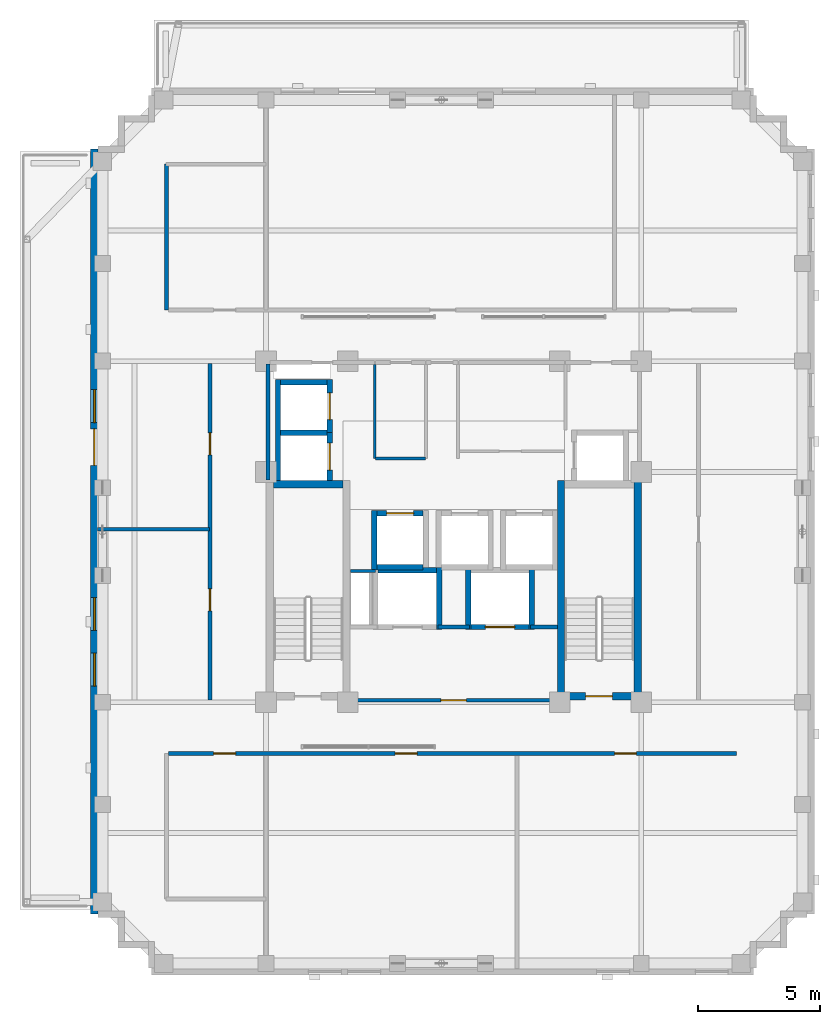
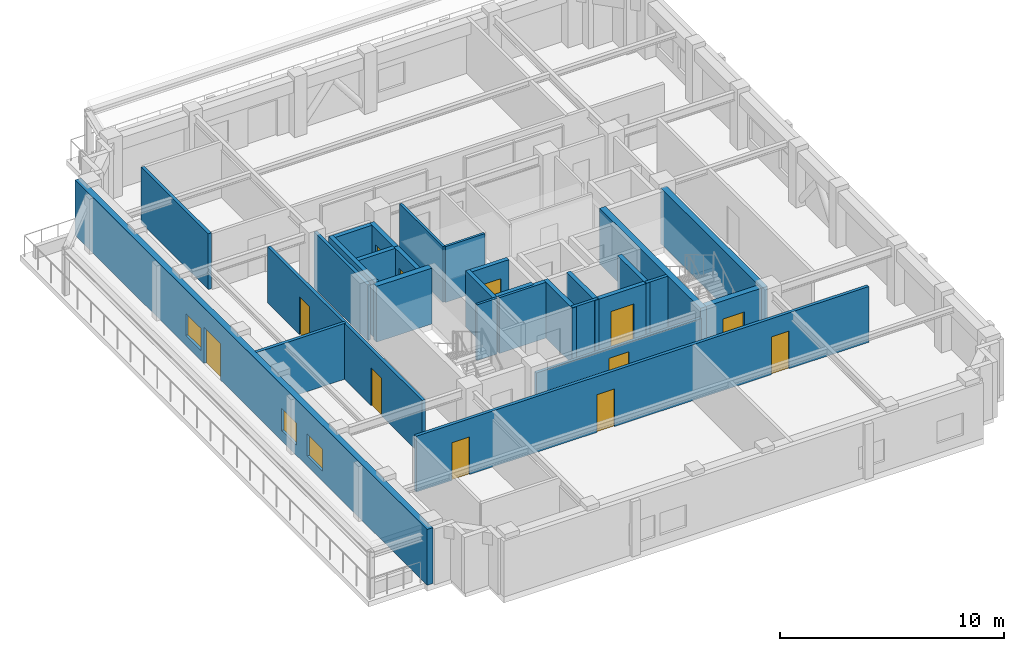
# One storey, part 8 of 14: 29 walls, 12 doors, 3 windows, 15 openings.
"""IFC4 building model written with IfcOpenShell, lengths in metres."""

from ifc_helpers import new_model, si_unit, derived_unit, direction, frame, frame_2d, origin, place, context, subcontext, project, spatial, rectangle, extrude, material, layer, layer_set, type_object, element, fill, save


model = new_model("IFC4")

# Units and contexts
model_context = context("Model", 3, precision=1e-05, world=origin(), true_north=direction((0.0, 1.0)))
body_context = subcontext(model_context, "Body", "Model", "MODEL_VIEW")
ifc_project = project(units=[si_unit("LENGTHUNIT", "METRE"), si_unit("AREAUNIT", "SQUARE_METRE"), si_unit("VOLUMEUNIT", "CUBIC_METRE"), si_unit("PLANEANGLEUNIT", "RADIAN"), si_unit("MASSUNIT", "GRAM", prefix="KILO"), derived_unit("THERMALTRANSMITTANCEUNIT", [(si_unit("MASSUNIT", "GRAM", prefix="KILO"), 1), (si_unit("TIMEUNIT", "SECOND"), -3), (si_unit("THERMODYNAMICTEMPERATUREUNIT", "KELVIN"), -1)])], contexts=[model_context])

# Site, building, storey
site_placement = place(None, origin())
site = spatial("IfcSite", under=ifc_project, at=site_placement, CompositionType="ELEMENT")
building_placement = place(site_placement, origin())
building = spatial("IfcBuilding", under=site, at=building_placement, Name="Korrvale Station Residences", CompositionType="ELEMENT")
storey_placement = place(building_placement, frame((0.0, 0.0, 174.39990234375)))
storey = spatial("IfcBuildingStorey", under=building, at=storey_placement, Name="L50", CompositionType="ELEMENT", Elevation=174.39990234375)

# Walls
ifc_material_1 = material(Name="Concrete C50/60", Category="concrete")
ifc_layer_1 = layer(ifc_material_1, 0.300048828125, Name="Concrete C50/60")
ifc_layer_set_1 = layer_set([ifc_layer_1], Name="Concrete C50/60")
wall_type_1 = type_object("IfcWallType", Name="WAL-CORE-300-C50", PredefinedType="SHEAR", material=ifc_layer_set_1)
wall_1_placement = place(storey_placement, frame((18.10009765625, 23.949951171875, 0.0), z_axis=(0.0, 0.0, 1.0), x_axis=(1.0, 0.0, 0.0)))
element("IfcWall", 1, at=wall_1_placement, inside=storey, type_object=wall_type_1, Name="L50 ST-1 Core Shear Wall North", PredefinedType="SHEAR", context=body_context, shape_type="SweptSolid", body=[
    extrude(rectangle(XDim=2.849853515625, YDim=0.300048828125, at=frame_2d((1.4248046875, 0.0))), origin(), (0.0, 0.0, 1.0), 3.0400390625),
])
for number, where, z_axis, x_axis, name in (
    (2, (29.89990234375, 15.10009765625, 0.0), (0.0, 0.0, 1.0), (0.0, 1.0, 0.0), "L50 ST-2 Core Shear Wall West"),
    (3, (33.050048828125, 15.10009765625, 0.0), (0.0, 0.0, 1.0), (0.0, 1.0, 0.0), "L50 ST-2 Core Shear Wall East"),
):
    element("IfcWall", number, at=place(storey_placement, frame(where, z_axis=z_axis, x_axis=x_axis)), inside=storey, type_object=wall_type_1, Name=name, PredefinedType="SHEAR", context=body_context, shape_type="SweptSolid", body=[
        extrude(rectangle(XDim=9.0, YDim=0.300048828125, at=frame_2d((4.5, 0.0))), origin(), (0.0, 0.0, 1.0), 3.0400390625),
    ])

# Wall, opening, door
wall_2_placement = place(storey_placement, frame((30.050048828125, 15.25, 0.0), z_axis=(0.0, 0.0, 1.0), x_axis=(1.0, 0.0, 0.0)))
wall_2 = element("IfcWall", 4, at=wall_2_placement, inside=storey, type_object=wall_type_1, Name="L50 ST-2 Core Shear Wall South", PredefinedType="SHEAR", context=body_context, shape_type="SweptSolid", body=[
    extrude(rectangle(XDim=2.849853515625, YDim=0.300048828125, at=frame_2d((1.4248046875, 0.0))), origin(), (0.0, 0.0, 1.0), 3.0400390625),
])
opening_1_placement = place(wall_2_placement, frame((0.860107421875, 0.0, 0.0)))
opening_1 = element("IfcOpeningElement", 5, at=opening_1_placement, cuts=wall_2, Name="Opening SD-1100", PredefinedType="OPENING", context=body_context, shape_type="SweptSolid", body=[
    extrude(rectangle(XDim=1.10009765625, YDim=2.050048828125, at=frame_2d((0.550048828125, 1.02490234375))), frame((0.0, 0.16015625, 0.0), z_axis=(0.0, -1.0, 0.0), x_axis=(1.0, 0.0, 0.0)), (0.0, 0.0, 1.0), 0.320068359375),
])
ifc_material_2 = material(Name="Hollow-metal fire-rated stair door with closer", Category="steel")
door_type_1 = type_object("IfcDoorType", Name="DR-STAIR-1100", OperationType="NOTDEFINED", PredefinedType="DOOR", material=ifc_material_2)
door_1_placement = place(opening_1_placement, origin())
door_1 = element("IfcDoor", 6, at=door_1_placement, inside=storey, type_object=door_type_1, Name="L50 ST-2 Exit Stair Door", OperationType="SINGLE_SWING_RIGHT", OverallHeight=2.050048828125, OverallWidth=1.10009765625, PredefinedType="DOOR", context=body_context, shape_type="SweptSolid", body=[
    extrude(rectangle(XDim=1.10009765625, YDim=2.050048828125, at=frame_2d((0.550048828125, 1.02490234375))), frame((0.0, 0.02490234375, 0.0), z_axis=(0.0, -1.0, 0.0), x_axis=(1.0, 0.0, 0.0)), (0.0, 0.0, 1.0), 0.050048828125),
])
fill(opening_1, door_1)

# Wall, openings, door, windows
ifc_material_3 = material(Name="Precast concrete C45/55", Category="concrete")
ifc_layer_2 = layer(ifc_material_3, 0.300048828125, Name="Precast concrete C45/55")
ifc_layer_set_2 = layer_set([ifc_layer_2], Name="Precast concrete C45/55")
wall_type_2 = type_object("IfcWallType", Name="WAL-EXT-PC300", PredefinedType="SOLIDWALL", material=ifc_layer_set_2)
wall_3_placement = place(storey_placement, frame((10.75, 6.300048828125, 0.0), z_axis=(0.0, 0.0, 1.0), x_axis=(0.0, 1.0, 0.0)))
wall_3 = element("IfcWall", 7, at=wall_3_placement, inside=storey, type_object=wall_type_2, Name="L50 West Exterior Precast Wall 1", PredefinedType="SOLIDWALL", context=body_context, shape_type="SweptSolid", body=[
    extrude(rectangle(XDim=31.39990234375, YDim=0.300048828125, at=frame_2d((15.699951171875, 0.0))), origin(), (0.0, 0.0, 1.0), 3.0400390625),
])
opening_2_placement = place(wall_3_placement, frame((18.419921875, 0.0, 0.0)))
opening_2 = element("IfcOpeningElement", 8, at=opening_2_placement, cuts=wall_3, Name="Opening TD-01", PredefinedType="OPENING", context=body_context, shape_type="SweptSolid", body=[
    extrude(rectangle(XDim=1.5, YDim=1.98193359375, at=frame_2d((0.75, 0.990966796875))), frame((0.0, 0.16015625, 0.0), z_axis=(0.0, -1.0, 0.0), x_axis=(1.0, 0.0, 0.0)), (0.0, 0.0, 1.0), 0.320068359375),
])
opening_3_placement = place(wall_3_placement, frame((11.64404296875, 0.0, 0.550048828125)))
opening_3 = element("IfcOpeningElement", 9, at=opening_3_placement, cuts=wall_3, Name="Opening W-10", PredefinedType="OPENING", context=body_context, shape_type="SweptSolid", body=[
    extrude(rectangle(XDim=1.35009765625, YDim=1.199951171875, at=frame_2d((0.675048828125, 0.60009765625))), frame((0.0, 0.16015625, 0.0), z_axis=(0.0, -1.0, 0.0), x_axis=(1.0, 0.0, 0.0)), (0.0, 0.0, 1.0), 0.320068359375),
])
opening_4_placement = place(wall_3_placement, frame((9.364013671875, 0.0, 0.550048828125)))
opening_4 = element("IfcOpeningElement", 10, at=opening_4_placement, cuts=wall_3, Name="Opening W-10", PredefinedType="OPENING", context=body_context, shape_type="SweptSolid", body=[
    extrude(rectangle(XDim=1.35009765625, YDim=1.199951171875, at=frame_2d((0.675048828125, 0.60009765625))), frame((0.0, 0.16015625, 0.0), z_axis=(0.0, -1.0, 0.0), x_axis=(1.0, 0.0, 0.0)), (0.0, 0.0, 1.0), 0.320068359375),
])
opening_5_placement = place(wall_3_placement, frame((20.179931640625, 0.0, 0.550048828125)))
opening_5 = element("IfcOpeningElement", 11, at=opening_5_placement, cuts=wall_3, Name="Opening W-10", PredefinedType="OPENING", context=body_context, shape_type="SweptSolid", body=[
    extrude(rectangle(XDim=1.35009765625, YDim=1.199951171875, at=frame_2d((0.675048828125, 0.60009765625))), frame((0.0, 0.16015625, 0.0), z_axis=(0.0, -1.0, 0.0), x_axis=(1.0, 0.0, 0.0)), (0.0, 0.0, 1.0), 0.320068359375),
])
ifc_material_4 = material(Name="Exterior thermally broken aluminium glazed terrace double door", Category="aluminium")
door_type_2 = type_object("IfcDoorType", Name="DR-EXT-TER", OperationType="DOUBLE_SWING_LEFT", PredefinedType="DOOR", material=ifc_material_4)
door_2_placement = place(opening_2_placement, origin())
door_2 = element("IfcDoor", 12, at=door_2_placement, inside=storey, type_object=door_type_2, Name="L50 West Setback Terrace Door", OperationType="DOUBLE_SWING_LEFT", OverallHeight=1.98193359375, OverallWidth=1.5, PredefinedType="DOOR", context=body_context, shape_type="SweptSolid", body=[
    extrude(rectangle(XDim=1.5, YDim=1.98193359375, at=frame_2d((0.75, 0.990966796875))), frame((0.0, 0.02490234375, 0.0), z_axis=(0.0, -1.0, 0.0), x_axis=(1.0, 0.0, 0.0)), (0.0, 0.0, 1.0), 0.050048828125),
])
fill(opening_2, door_2)
ifc_material_5 = material(Name="Thermally broken aluminium frame with triple low-e glazing", Category="aluminium")
window_type = type_object("IfcWindowType", Name="WIN-W10", PartitioningType="SINGLE_PANEL", PredefinedType="WINDOW", material=ifc_material_5)
window_1_placement = place(opening_3_placement, origin())
window_1 = element("IfcWindow", 13, at=window_1_placement, inside=storey, type_object=window_type, Name="L50 Punched Window 09", OverallHeight=1.199951171875, OverallWidth=1.35009765625, PartitioningType="SINGLE_PANEL", PredefinedType="WINDOW", context=body_context, shape_type="SweptSolid", body=[
    extrude(rectangle(XDim=1.35009765625, YDim=1.199951171875, at=frame_2d((0.675048828125, 0.60009765625))), frame((0.0, 0.030029296875, 0.0), z_axis=(0.0, -1.0, 0.0), x_axis=(1.0, 0.0, 0.0)), (0.0, 0.0, 1.0), 0.06005859375),
])
fill(opening_3, window_1)
window_2_placement = place(opening_4_placement, origin())
window_2 = element("IfcWindow", 14, at=window_2_placement, inside=storey, type_object=window_type, Name="L50 Punched Window 10", OverallHeight=1.199951171875, OverallWidth=1.35009765625, PartitioningType="SINGLE_PANEL", PredefinedType="WINDOW", context=body_context, shape_type="SweptSolid", body=[
    extrude(rectangle(XDim=1.35009765625, YDim=1.199951171875, at=frame_2d((0.675048828125, 0.60009765625))), frame((0.0, 0.030029296875, 0.0), z_axis=(0.0, -1.0, 0.0), x_axis=(1.0, 0.0, 0.0)), (0.0, 0.0, 1.0), 0.06005859375),
])
fill(opening_4, window_2)
window_3_placement = place(opening_5_placement, origin())
window_3 = element("IfcWindow", 15, at=window_3_placement, inside=storey, type_object=window_type, Name="L50 Punched Window 11", OverallHeight=1.199951171875, OverallWidth=1.35009765625, PartitioningType="SINGLE_PANEL", PredefinedType="WINDOW", context=body_context, shape_type="SweptSolid", body=[
    extrude(rectangle(XDim=1.35009765625, YDim=1.199951171875, at=frame_2d((0.675048828125, 0.60009765625))), frame((0.0, 0.030029296875, 0.0), z_axis=(0.0, -1.0, 0.0), x_axis=(1.0, 0.0, 0.0)), (0.0, 0.0, 1.0), 0.06005859375),
])
fill(opening_5, window_3)

# Walls
ifc_material_6 = material(Name="Acoustic steel-stud gypsum board partition", Category="steel")
ifc_layer_3 = layer(ifc_material_6, 0.1201171875, Name="Acoustic steel-stud gypsum board partition")
ifc_layer_set_3 = layer_set([ifc_layer_3], Name="Acoustic steel-stud gypsum board partition")
wall_type_3 = type_object("IfcWallType", Name="WAL-PART-125", PredefinedType="PARTITIONING", material=ifc_layer_set_3)
wall_4_placement = place(storey_placement, frame((22.280029296875, 20.3798828125, 0.0), z_axis=(0.0, 0.0, 1.0), x_axis=(-1.0, 0.0, 0.0)))
element("IfcWall", 16, at=wall_4_placement, inside=storey, type_object=wall_type_3, Name="L50 Core Partition CW-RSWT-N", PredefinedType="PARTITIONING", context=body_context, shape_type="SweptSolid", body=[
    extrude(rectangle(XDim=1.02001953125, YDim=0.1201171875, at=frame_2d((0.510009765625, 0.0))), origin(), (0.0, 0.0, 1.0), 3.0400390625),
])
wall_5_placement = place(storey_placement, frame((22.260009765625, 25.0, 0.0), z_axis=(0.0, 0.0, 1.0), x_axis=(0.0, 1.0, 0.0)))
element("IfcWall", 17, at=wall_5_placement, inside=storey, type_object=wall_type_3, Name="L50 Core Partition CW-FPLW-W", PredefinedType="PARTITIONING", context=body_context, shape_type="SweptSolid", body=[
    extrude(rectangle(XDim=3.860107421875, YDim=0.1201171875, at=frame_2d((1.93017578125, 0.0))), origin(), (0.0, 0.0, 1.0), 3.0400390625),
])
wall_6_placement = place(storey_placement, frame((22.300048828125, 25.0, 0.0), z_axis=(0.0, 0.0, 1.0), x_axis=(1.0, 0.0, 0.0)))
element("IfcWall", 18, at=wall_6_placement, inside=storey, type_object=wall_type_3, Name="L50 Core Partition CW-FPLW-S", PredefinedType="PARTITIONING", context=body_context, shape_type="SweptSolid", body=[
    extrude(rectangle(XDim=2.0400390625, YDim=0.1201171875, at=frame_2d((1.02001953125, 0.0))), origin(), (0.0, 0.0, 1.0), 3.0400390625),
])

# Wall, opening, door
ifc_material_7 = material(Name="Fire-rated twin-stud gypsum and mineral wool shaftwall assembly", Category="gypsum")
ifc_layer_4 = layer(ifc_material_7, 0.159912109375, Name="Fire-rated twin-stud gypsum and mineral wool shaftwall assembly")
ifc_layer_set_4 = layer_set([ifc_layer_4], Name="Fire-rated twin-stud gypsum and mineral wool shaftwall assembly")
wall_type_4 = type_object("IfcWallType", Name="WAL-PART-200", PredefinedType="PARTITIONING", material=ifc_layer_set_4)
wall_7_placement = place(storey_placement, frame((21.25, 15.080078125, 0.0), z_axis=(0.0, 0.0, 1.0), x_axis=(1.0, 0.0, 0.0)))
wall_7 = element("IfcWall", 19, at=wall_7_placement, inside=storey, type_object=wall_type_4, Name="L50 Core Partition CW-FFL-S", PredefinedType="PARTITIONING", context=body_context, shape_type="SweptSolid", body=[
    extrude(rectangle(XDim=8.5, YDim=0.159912109375, at=frame_2d((4.25, 0.0))), origin(), (0.0, 0.0, 1.0), 2.55615234375),
])
opening_6_placement = place(wall_7_placement, frame((3.72509765625, 0.0, 0.0)))
opening_6 = element("IfcOpeningElement", 20, at=opening_6_placement, cuts=wall_7, Name="Opening FD-1050", PredefinedType="OPENING", context=body_context, shape_type="SweptSolid", body=[
    extrude(rectangle(XDim=1.050048828125, YDim=2.050048828125, at=frame_2d((0.52490234375, 1.02490234375))), frame((0.0, 0.08984375, 0.0), z_axis=(0.0, -1.0, 0.0), x_axis=(1.0, 0.0, 0.0)), (0.0, 0.0, 1.0), 0.179931640625),
])
ifc_material_8 = material(Name="Fire-rated mineral-core timber lobby door", Category="wood")
door_type_3 = type_object("IfcDoorType", Name="DR-CORE-1050", OperationType="NOTDEFINED", PredefinedType="DOOR", material=ifc_material_8)
door_3_placement = place(opening_6_placement, origin())
door_3 = element("IfcDoor", 21, at=door_3_placement, inside=storey, type_object=door_type_3, Name="L50 Firefighting Lobby Entry Door", OperationType="SINGLE_SWING_LEFT", OverallHeight=2.050048828125, OverallWidth=1.050048828125, PredefinedType="DOOR", context=body_context, shape_type="SweptSolid", body=[
    extrude(rectangle(XDim=1.050048828125, YDim=2.050048828125, at=frame_2d((0.52490234375, 1.02490234375))), frame((0.0, 0.02490234375, 0.0), z_axis=(0.0, -1.0, 0.0), x_axis=(1.0, 0.0, 0.0)), (0.0, 0.0, 1.0), 0.050048828125),
])
fill(opening_6, door_3)

# Walls
wall_8_placement = place(storey_placement, frame((24.85009765625, 18.080078125, 0.0), z_axis=(0.0, 0.0, 1.0), x_axis=(1.0, 0.0, 0.0)))
element("IfcWall", 22, at=wall_8_placement, inside=storey, type_object=wall_type_4, Name="L50 Core Partition CW-FFL-N2", PredefinedType="PARTITIONING", context=body_context, shape_type="SweptSolid", body=[
    extrude(rectangle(XDim=1.2998046875, YDim=0.159912109375, at=frame_2d((0.64990234375, 0.0))), origin(), (0.0, 0.0, 1.0), 3.0400390625),
])
wall_9_placement = place(storey_placement, frame((28.64990234375, 18.080078125, 0.0), z_axis=(0.0, 0.0, 1.0), x_axis=(1.0, 0.0, 0.0)))
element("IfcWall", 23, at=wall_9_placement, inside=storey, type_object=wall_type_4, Name="L50 Core Partition CW-FFL-N3", PredefinedType="PARTITIONING", context=body_context, shape_type="SweptSolid", body=[
    extrude(rectangle(XDim=1.10009765625, YDim=0.159912109375, at=frame_2d((0.550048828125, 0.0))), origin(), (0.0, 0.0, 1.0), 3.0400390625),
])
wall_10_placement = place(storey_placement, frame((17.8798828125, 24.1201171875, 0.0), z_axis=(0.0, 0.0, 1.0), x_axis=(0.0, 1.0, 0.0)))
element("IfcWall", 24, at=wall_10_placement, inside=storey, type_object=wall_type_4, Name="L50 Core Partition CW-W-N", PredefinedType="PARTITIONING", context=body_context, shape_type="SweptSolid", body=[
    extrude(rectangle(XDim=4.759765625, YDim=0.159912109375, at=frame_2d((2.3798828125, 0.0))), origin(), (0.0, 0.0, 1.0), 3.0400390625),
])

# Wall, openings, doors
wall_11_placement = place(storey_placement, frame((13.800048828125, 12.89990234375, 0.0), z_axis=(0.0, 0.0, 1.0), x_axis=(1.0, 0.0, 0.0)))
wall_11 = element("IfcWall", 25, at=wall_11_placement, inside=storey, type_object=wall_type_4, Name="L50 Interior Partition W-SS", PredefinedType="PARTITIONING", context=body_context, shape_type="SweptSolid", body=[
    extrude(rectangle(XDim=23.300048828125, YDim=0.159912109375, at=frame_2d((11.64990234375, 0.0))), origin(), (0.0, 0.0, 1.0), 3.0400390625),
])
opening_7_placement = place(wall_11_placement, frame((1.85009765625, 0.0, 0.0)))
opening_7 = element("IfcOpeningElement", 26, at=opening_7_placement, cuts=wall_11, Name="Opening DI-900", PredefinedType="OPENING", context=body_context, shape_type="SweptSolid", body=[
    extrude(rectangle(XDim=0.89990234375, YDim=2.050048828125, at=frame_2d((0.449951171875, 1.02490234375))), frame((0.0, 0.08984375, 0.0), z_axis=(0.0, -1.0, 0.0), x_axis=(1.0, 0.0, 0.0)), (0.0, 0.0, 1.0), 0.179931640625),
])
opening_8_placement = place(wall_11_placement, frame((9.300048828125, 0.0, 0.0)))
opening_8 = element("IfcOpeningElement", 27, at=opening_8_placement, cuts=wall_11, Name="Opening DI-900", PredefinedType="OPENING", context=body_context, shape_type="SweptSolid", body=[
    extrude(rectangle(XDim=0.89990234375, YDim=2.050048828125, at=frame_2d((0.449951171875, 1.02490234375))), frame((0.0, 0.08984375, 0.0), z_axis=(0.0, -1.0, 0.0), x_axis=(1.0, 0.0, 0.0)), (0.0, 0.0, 1.0), 0.179931640625),
])
opening_9_placement = place(wall_11_placement, frame((18.300048828125, 0.0, 0.0)))
opening_9 = element("IfcOpeningElement", 28, at=opening_9_placement, cuts=wall_11, Name="Opening DI-900", PredefinedType="OPENING", context=body_context, shape_type="SweptSolid", body=[
    extrude(rectangle(XDim=0.89990234375, YDim=2.050048828125, at=frame_2d((0.449951171875, 1.02490234375))), frame((0.0, 0.08984375, 0.0), z_axis=(0.0, -1.0, 0.0), x_axis=(1.0, 0.0, 0.0)), (0.0, 0.0, 1.0), 0.179931640625),
])
ifc_material_9 = material(Name="Painted solid-core timber interior room door", Category="wood")
door_type_4 = type_object("IfcDoorType", Name="DR-INT-900", OperationType="NOTDEFINED", PredefinedType="DOOR", material=ifc_material_9)
door_4_placement = place(opening_7_placement, origin())
door_4 = element("IfcDoor", 29, at=door_4_placement, inside=storey, type_object=door_type_4, Name="L50 Sky Kitchen Door", OperationType="SINGLE_SWING_LEFT", OverallHeight=2.050048828125, OverallWidth=0.89990234375, PredefinedType="DOOR", context=body_context, shape_type="SweptSolid", body=[
    extrude(rectangle(XDim=0.89990234375, YDim=2.050048828125, at=frame_2d((0.449951171875, 1.02490234375))), frame((0.0, 0.02490234375, 0.0), z_axis=(0.0, -1.0, 0.0), x_axis=(1.0, 0.0, 0.0)), (0.0, 0.0, 1.0), 0.050048828125),
])
fill(opening_7, door_4)
door_5_placement = place(opening_8_placement, origin())
door_5 = element("IfcDoor", 30, at=door_5_placement, inside=storey, type_object=door_type_4, Name="L50 South Dining Room Door", OperationType="SINGLE_SWING_RIGHT", OverallHeight=2.050048828125, OverallWidth=0.89990234375, PredefinedType="DOOR", context=body_context, shape_type="SweptSolid", body=[
    extrude(rectangle(XDim=0.89990234375, YDim=2.050048828125, at=frame_2d((0.449951171875, 1.02490234375))), frame((0.0, 0.02490234375, 0.0), z_axis=(0.0, -1.0, 0.0), x_axis=(1.0, 0.0, 0.0)), (0.0, 0.0, 1.0), 0.050048828125),
])
fill(opening_8, door_5)
door_6_placement = place(opening_9_placement, origin())
door_6 = element("IfcDoor", 31, at=door_6_placement, inside=storey, type_object=door_type_4, Name="L50 Tasting Room Door", OperationType="SINGLE_SWING_LEFT", OverallHeight=2.050048828125, OverallWidth=0.89990234375, PredefinedType="DOOR", context=body_context, shape_type="SweptSolid", body=[
    extrude(rectangle(XDim=0.89990234375, YDim=2.050048828125, at=frame_2d((0.449951171875, 1.02490234375))), frame((0.0, 0.02490234375, 0.0), z_axis=(0.0, -1.0, 0.0), x_axis=(1.0, 0.0, 0.0)), (0.0, 0.0, 1.0), 0.050048828125),
])
fill(opening_9, door_6)

# Wall
wall_12_placement = place(storey_placement, frame((13.719970703125, 31.10009765625, 0.0), z_axis=(0.0, 0.0, 1.0), x_axis=(0.0, 1.0, 0.0)))
element("IfcWall", 32, at=wall_12_placement, inside=storey, type_object=wall_type_4, Name="L50 Interior Partition W-SWC-W", PredefinedType="PARTITIONING", context=body_context, shape_type="SweptSolid", body=[
    extrude(rectangle(XDim=5.97998046875, YDim=0.159912109375, at=frame_2d((2.989990234375, 0.0))), origin(), (0.0, 0.0, 1.0), 3.0400390625),
])

# Wall, openings, doors
wall_13_placement = place(storey_placement, frame((15.5, 15.10009765625, 0.0), z_axis=(0.0, 0.0, 1.0), x_axis=(0.0, 1.0, 0.0)))
wall_13 = element("IfcWall", 33, at=wall_13_placement, inside=storey, type_object=wall_type_4, Name="L50 Interior Partition W-SW", PredefinedType="PARTITIONING", context=body_context, shape_type="SweptSolid", body=[
    extrude(rectangle(XDim=13.7998046875, YDim=0.159912109375, at=frame_2d((6.89990234375, 0.0))), origin(), (0.0, 0.0, 1.0), 3.0400390625),
])
opening_10_placement = place(wall_13_placement, frame((3.64990234375, 0.0, 0.0)))
opening_10 = element("IfcOpeningElement", 34, at=opening_10_placement, cuts=wall_13, Name="Opening DI-900", PredefinedType="OPENING", context=body_context, shape_type="SweptSolid", body=[
    extrude(rectangle(XDim=0.89990234375, YDim=2.050048828125, at=frame_2d((0.449951171875, 1.02490234375))), frame((0.0, 0.08984375, 0.0), z_axis=(0.0, -1.0, 0.0), x_axis=(1.0, 0.0, 0.0)), (0.0, 0.0, 1.0), 0.179931640625),
])
opening_11_placement = place(wall_13_placement, frame((10.050048828125, 0.0, 0.0)))
opening_11 = element("IfcOpeningElement", 35, at=opening_11_placement, cuts=wall_13, Name="Opening DI-900", PredefinedType="OPENING", context=body_context, shape_type="SweptSolid", body=[
    extrude(rectangle(XDim=0.89990234375, YDim=2.050048828125, at=frame_2d((0.449951171875, 1.02490234375))), frame((0.0, 0.08984375, 0.0), z_axis=(0.0, -1.0, 0.0), x_axis=(1.0, 0.0, 0.0)), (0.0, 0.0, 1.0), 0.179931640625),
])
door_7_placement = place(opening_10_placement, origin())
door_7 = element("IfcDoor", 36, at=door_7_placement, inside=storey, type_object=door_type_4, Name="L50 Sky Library Study Door", OperationType="SINGLE_SWING_LEFT", OverallHeight=2.050048828125, OverallWidth=0.89990234375, PredefinedType="DOOR", context=body_context, shape_type="SweptSolid", body=[
    extrude(rectangle(XDim=0.89990234375, YDim=2.050048828125, at=frame_2d((0.449951171875, 1.02490234375))), frame((0.0, 0.02490234375, 0.0), z_axis=(0.0, -1.0, 0.0), x_axis=(1.0, 0.0, 0.0)), (0.0, 0.0, 1.0), 0.050048828125),
])
fill(opening_10, door_7)
door_8_placement = place(opening_11_placement, origin())
door_8 = element("IfcDoor", 37, at=door_8_placement, inside=storey, type_object=door_type_4, Name="L50 Executive Board Study Door", OperationType="SINGLE_SWING_RIGHT", OverallHeight=2.050048828125, OverallWidth=0.89990234375, PredefinedType="DOOR", context=body_context, shape_type="SweptSolid", body=[
    extrude(rectangle(XDim=0.89990234375, YDim=2.050048828125, at=frame_2d((0.449951171875, 1.02490234375))), frame((0.0, 0.02490234375, 0.0), z_axis=(0.0, -1.0, 0.0), x_axis=(1.0, 0.0, 0.0)), (0.0, 0.0, 1.0), 0.050048828125),
])
fill(opening_11, door_8)

# Walls
wall_14_placement = place(storey_placement, frame((10.8798828125, 22.10009765625, 0.0), z_axis=(0.0, 0.0, 1.0), x_axis=(1.0, 0.0, 0.0)))
element("IfcWall", 38, at=wall_14_placement, inside=storey, type_object=wall_type_4, Name="L50 Interior Partition W-SW-H", PredefinedType="PARTITIONING", context=body_context, shape_type="SweptSolid", body=[
    extrude(rectangle(XDim=4.60009765625, YDim=0.159912109375, at=frame_2d((2.300048828125, 0.0))), origin(), (0.0, 0.0, 1.0), 3.0400390625),
])
ifc_layer_5 = layer(ifc_material_1, 0.219970703125, Name="Concrete C50/60")
ifc_layer_set_5 = layer_set([ifc_layer_5], Name="Concrete C50/60")
wall_type_5 = type_object("IfcWallType", Name="WAL-SHAFT-220-C50", PredefinedType="SHEAR", material=ifc_layer_set_5)
wall_15_placement = place(storey_placement, frame((22.35009765625, 20.5400390625, 0.0), z_axis=(0.0, 0.0, 1.0), x_axis=(1.0, 0.0, 0.0)))
element("IfcWall", 39, at=wall_15_placement, inside=storey, type_object=wall_type_5, Name="L50 Elevator PM-1 Hoistway Wall South", PredefinedType="SHEAR", context=body_context, shape_type="SweptSolid", body=[
    extrude(rectangle(XDim=1.89990234375, YDim=0.219970703125, at=frame_2d((0.949951171875, 0.0))), origin(), (0.0, 0.0, 1.0), 3.0400390625),
])

# Wall, opening, door
wall_16_placement = place(storey_placement, frame((22.35009765625, 22.760009765625, 0.0), z_axis=(0.0, 0.0, 1.0), x_axis=(1.0, 0.0, 0.0)))
wall_16 = element("IfcWall", 40, at=wall_16_placement, inside=storey, type_object=wall_type_5, Name="L50 Elevator PM-1 Hoistway Wall North", PredefinedType="SHEAR", context=body_context, shape_type="SweptSolid", body=[
    extrude(rectangle(XDim=1.89990234375, YDim=0.219970703125, at=frame_2d((0.949951171875, 0.0))), origin(), (0.0, 0.0, 1.0), 3.0400390625),
])
opening_12_placement = place(wall_16_placement, frame((0.39990234375, 0.0, 0.0)))
opening_12 = element("IfcOpeningElement", 41, at=opening_12_placement, cuts=wall_16, Name="Opening LD-1100", PredefinedType="OPENING", context=body_context, shape_type="SweptSolid", body=[
    extrude(rectangle(XDim=1.10009765625, YDim=2.14990234375, at=frame_2d((0.550048828125, 1.074951171875))), frame((0.0, 0.1201171875, 0.0), z_axis=(0.0, -1.0, 0.0), x_axis=(1.0, 0.0, 0.0)), (0.0, 0.0, 1.0), 0.239990234375),
])
ifc_material_10 = material(Name="Brushed stainless-steel elevator landing sliding door", Category="steel")
door_type_5 = type_object("IfcDoorType", Name="DR-LIFT-1100", OperationType="SLIDING_TO_LEFT", PredefinedType="DOOR", material=ifc_material_10)
door_9_placement = place(opening_12_placement, origin())
door_9 = element("IfcDoor", 42, at=door_9_placement, inside=storey, type_object=door_type_5, Name="L50 Elevator PM-1 Sliding Landing Door", OperationType="SLIDING_TO_LEFT", OverallHeight=2.14990234375, OverallWidth=1.10009765625, PredefinedType="DOOR", context=body_context, shape_type="SweptSolid", body=[
    extrude(rectangle(XDim=1.10009765625, YDim=2.14990234375, at=frame_2d((0.550048828125, 1.074951171875))), frame((0.0, 0.02490234375, 0.0), z_axis=(0.0, -1.0, 0.0), x_axis=(1.0, 0.0, 0.0)), (0.0, 0.0, 1.0), 0.050048828125),
])
fill(opening_12, door_9)

# Walls
wall_17_placement = place(storey_placement, frame((22.239990234375, 20.429931640625, 0.0), z_axis=(0.0, 0.0, 1.0), x_axis=(0.0, 1.0, 0.0)))
element("IfcWall", 43, at=wall_17_placement, inside=storey, type_object=wall_type_5, Name="L50 Elevator PM-1 Hoistway Wall West", PredefinedType="SHEAR", context=body_context, shape_type="SweptSolid", body=[
    extrude(rectangle(XDim=2.440185546875, YDim=0.219970703125, at=frame_2d((1.22021484375, 0.0))), origin(), (0.0, 0.0, 1.0), 3.0400390625),
])
wall_18_placement = place(storey_placement, frame((18.2900390625, 24.10009765625, 0.0), z_axis=(0.0, 0.0, 1.0), x_axis=(0.0, 1.0, 0.0)))
element("IfcWall", 44, at=wall_18_placement, inside=storey, type_object=wall_type_5, Name="L50 Elevator PH-1 Hoistway Wall West", PredefinedType="SHEAR", context=body_context, shape_type="SweptSolid", body=[
    extrude(rectangle(XDim=4.139892578125, YDim=0.219970703125, at=frame_2d((2.06982421875, 0.0))), origin(), (0.0, 0.0, 1.0), 3.0400390625),
])

# Wall, opening, door
wall_19_placement = place(storey_placement, frame((20.409912109375, 24.10009765625, 0.0), z_axis=(0.0, 0.0, 1.0), x_axis=(0.0, 1.0, 0.0)))
wall_19 = element("IfcWall", 45, at=wall_19_placement, inside=storey, type_object=wall_type_5, Name="L50 Elevator PH-1 Hoistway Wall East", PredefinedType="SHEAR", context=body_context, shape_type="SweptSolid", body=[
    extrude(rectangle(XDim=1.9599609375, YDim=0.219970703125, at=frame_2d((0.97998046875, 0.0))), origin(), (0.0, 0.0, 1.0), 3.0400390625),
])
opening_13_placement = place(wall_19_placement, frame((0.429931640625, 0.0, 0.0)))
opening_13 = element("IfcOpeningElement", 46, at=opening_13_placement, cuts=wall_19, Name="Opening LD-1100", PredefinedType="OPENING", context=body_context, shape_type="SweptSolid", body=[
    extrude(rectangle(XDim=1.10009765625, YDim=2.14990234375, at=frame_2d((0.550048828125, 1.074951171875))), frame((0.0, 0.1201171875, 0.0), z_axis=(0.0, -1.0, 0.0), x_axis=(1.0, 0.0, 0.0)), (0.0, 0.0, 1.0), 0.239990234375),
])
door_10_placement = place(opening_13_placement, origin())
door_10 = element("IfcDoor", 47, at=door_10_placement, inside=storey, type_object=door_type_5, Name="L50 Elevator PH-1 Sliding Landing Door", OperationType="SLIDING_TO_LEFT", OverallHeight=2.14990234375, OverallWidth=1.10009765625, PredefinedType="DOOR", context=body_context, shape_type="SweptSolid", body=[
    extrude(rectangle(XDim=1.10009765625, YDim=2.14990234375, at=frame_2d((0.550048828125, 1.074951171875))), frame((0.0, 0.02490234375, 0.0), z_axis=(0.0, -1.0, 0.0), x_axis=(1.0, 0.0, 0.0)), (0.0, 0.0, 1.0), 0.050048828125),
])
fill(opening_13, door_10)

# Walls
for number, where, z_axis, x_axis, name in (
    (48, (18.39990234375, 26.06005859375, 0.0), (0.0, 0.0, 1.0), (1.0, 0.0, 0.0), "L50 Elevator PH-2 Hoistway Wall South"),
    (49, (18.39990234375, 28.1298828125, 0.0), (0.0, 0.0, 1.0), (1.0, 0.0, 0.0), "L50 Elevator PH-2 Hoistway Wall North"),
):
    element("IfcWall", number, at=place(storey_placement, frame(where, z_axis=z_axis, x_axis=x_axis)), inside=storey, type_object=wall_type_5, Name=name, PredefinedType="SHEAR", context=body_context, shape_type="SweptSolid", body=[
        extrude(rectangle(XDim=1.900146484375, YDim=0.219970703125, at=frame_2d((0.9501953125, 0.0))), origin(), (0.0, 0.0, 1.0), 3.0400390625),
    ])

# Wall, opening, door
wall_20_placement = place(storey_placement, frame((20.409912109375, 26.06005859375, 0.0), z_axis=(0.0, 0.0, 1.0), x_axis=(0.0, 1.0, 0.0)))
wall_20 = element("IfcWall", 50, at=wall_20_placement, inside=storey, type_object=wall_type_5, Name="L50 Elevator PH-2 Hoistway Wall East", PredefinedType="SHEAR", context=body_context, shape_type="SweptSolid", body=[
    extrude(rectangle(XDim=2.179931640625, YDim=0.219970703125, at=frame_2d((1.08984375, 0.0))), origin(), (0.0, 0.0, 1.0), 3.0400390625),
])
opening_14_placement = place(wall_20_placement, frame((0.5400390625, 0.0, 0.0)))
opening_14 = element("IfcOpeningElement", 51, at=opening_14_placement, cuts=wall_20, Name="Opening LD-1100", PredefinedType="OPENING", context=body_context, shape_type="SweptSolid", body=[
    extrude(rectangle(XDim=1.10009765625, YDim=2.14990234375, at=frame_2d((0.550048828125, 1.074951171875))), frame((0.0, 0.1201171875, 0.0), z_axis=(0.0, -1.0, 0.0), x_axis=(1.0, 0.0, 0.0)), (0.0, 0.0, 1.0), 0.239990234375),
])
door_11_placement = place(opening_14_placement, origin())
door_11 = element("IfcDoor", 52, at=door_11_placement, inside=storey, type_object=door_type_5, Name="L50 Elevator PH-2 Sliding Landing Door", OperationType="SLIDING_TO_LEFT", OverallHeight=2.14990234375, OverallWidth=1.10009765625, PredefinedType="DOOR", context=body_context, shape_type="SweptSolid", body=[
    extrude(rectangle(XDim=1.10009765625, YDim=2.14990234375, at=frame_2d((0.550048828125, 1.074951171875))), frame((0.0, 0.02490234375, 0.0), z_axis=(0.0, -1.0, 0.0), x_axis=(1.0, 0.0, 0.0)), (0.0, 0.0, 1.0), 0.050048828125),
])
fill(opening_14, door_11)

# Walls
wall_21_placement = place(storey_placement, frame((22.39990234375, 20.409912109375, 0.0), z_axis=(0.0, 0.0, 1.0), x_axis=(1.0, 0.0, 0.0)))
element("IfcWall", 53, at=wall_21_placement, inside=storey, type_object=wall_type_5, Name="L50 Elevator FFL-1 Hoistway Wall North", PredefinedType="SHEAR", context=body_context, shape_type="SweptSolid", body=[
    extrude(rectangle(XDim=2.400146484375, YDim=0.219970703125, at=frame_2d((1.2001953125, 0.0))), origin(), (0.0, 0.0, 1.0), 3.0400390625),
])
wall_22_placement = place(storey_placement, frame((24.909912109375, 17.97998046875, 0.0), z_axis=(0.0, 0.0, 1.0), x_axis=(0.0, 1.0, 0.0)))
element("IfcWall", 54, at=wall_22_placement, inside=storey, type_object=wall_type_5, Name="L50 Elevator FFL-1 Hoistway Wall East", PredefinedType="SHEAR", context=body_context, shape_type="SweptSolid", body=[
    extrude(rectangle(XDim=2.5400390625, YDim=0.219970703125, at=frame_2d((1.27001953125, 0.0))), origin(), (0.0, 0.0, 1.0), 3.0400390625),
])

# Wall, opening, door
wall_23_placement = place(storey_placement, frame((26.199951171875, 18.090087890625, 0.0), z_axis=(0.0, 0.0, 1.0), x_axis=(1.0, 0.0, 0.0)))
wall_23 = element("IfcWall", 55, at=wall_23_placement, inside=storey, type_object=wall_type_5, Name="L50 Elevator FFL-2 Hoistway Wall South", PredefinedType="SHEAR", context=body_context, shape_type="SweptSolid", body=[
    extrude(rectangle(XDim=2.400146484375, YDim=0.219970703125, at=frame_2d((1.2001953125, 0.0))), origin(), (0.0, 0.0, 1.0), 3.0400390625),
])
opening_15_placement = place(wall_23_placement, frame((0.60009765625, 0.0, 0.0)))
opening_15 = element("IfcOpeningElement", 56, at=opening_15_placement, cuts=wall_23, Name="Opening LD-FF1200", PredefinedType="OPENING", context=body_context, shape_type="SweptSolid", body=[
    extrude(rectangle(XDim=1.199951171875, YDim=2.14990234375, at=frame_2d((0.60009765625, 1.074951171875))), frame((0.0, 0.1201171875, 0.0), z_axis=(0.0, -1.0, 0.0), x_axis=(1.0, 0.0, 0.0)), (0.0, 0.0, 1.0), 0.239990234375),
])
ifc_material_11 = material(Name="Stainless-steel firefighter elevator landing sliding door", Category="steel")
door_type_6 = type_object("IfcDoorType", Name="DR-LIFT-FF1200", OperationType="SLIDING_TO_LEFT", PredefinedType="DOOR", material=ifc_material_11)
door_12_placement = place(opening_15_placement, origin())
door_12 = element("IfcDoor", 57, at=door_12_placement, inside=storey, type_object=door_type_6, Name="L50 Elevator FFL-2 Sliding Landing Door", OperationType="SLIDING_TO_LEFT", OverallHeight=2.14990234375, OverallWidth=1.199951171875, PredefinedType="DOOR", context=body_context, shape_type="SweptSolid", body=[
    extrude(rectangle(XDim=1.199951171875, YDim=2.14990234375, at=frame_2d((0.60009765625, 1.074951171875))), frame((0.0, 0.02490234375, 0.0), z_axis=(0.0, -1.0, 0.0), x_axis=(1.0, 0.0, 0.0)), (0.0, 0.0, 1.0), 0.050048828125),
])
fill(opening_15, door_12)

# Walls
for number, where, z_axis, x_axis, name in (
    (58, (26.090087890625, 17.97998046875, 0.0), (0.0, 0.0, 1.0), (0.0, 1.0, 0.0), "L50 Elevator FFL-2 Hoistway Wall West"),
    (59, (28.7099609375, 17.97998046875, 0.0), (0.0, 0.0, 1.0), (0.0, 1.0, 0.0), "L50 Elevator FFL-2 Hoistway Wall East"),
):
    element("IfcWall", number, at=place(storey_placement, frame(where, z_axis=z_axis, x_axis=x_axis)), inside=storey, type_object=wall_type_5, Name=name, PredefinedType="SHEAR", context=body_context, shape_type="SweptSolid", body=[
        extrude(rectangle(XDim=2.5400390625, YDim=0.219970703125, at=frame_2d((1.27001953125, 0.0))), origin(), (0.0, 0.0, 1.0), 3.0400390625),
    ])

save(model, "model.ifc")
